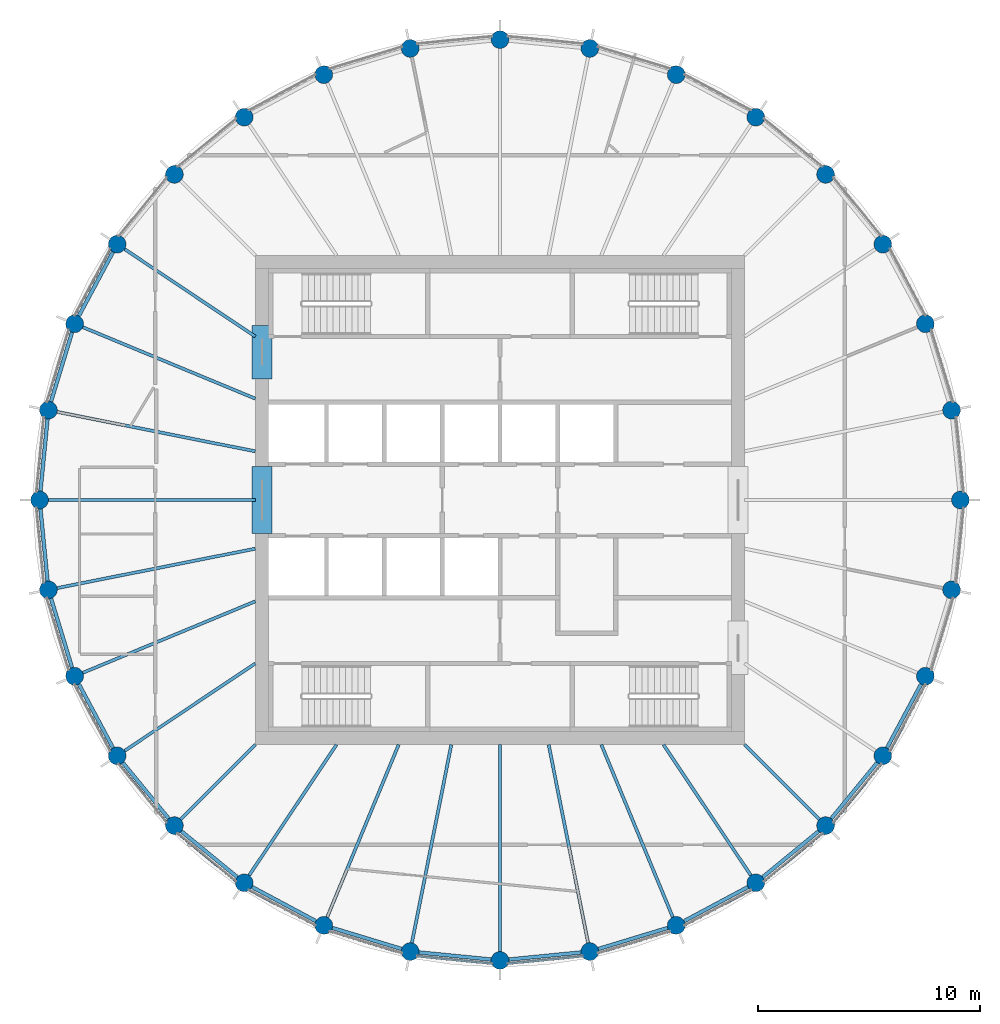
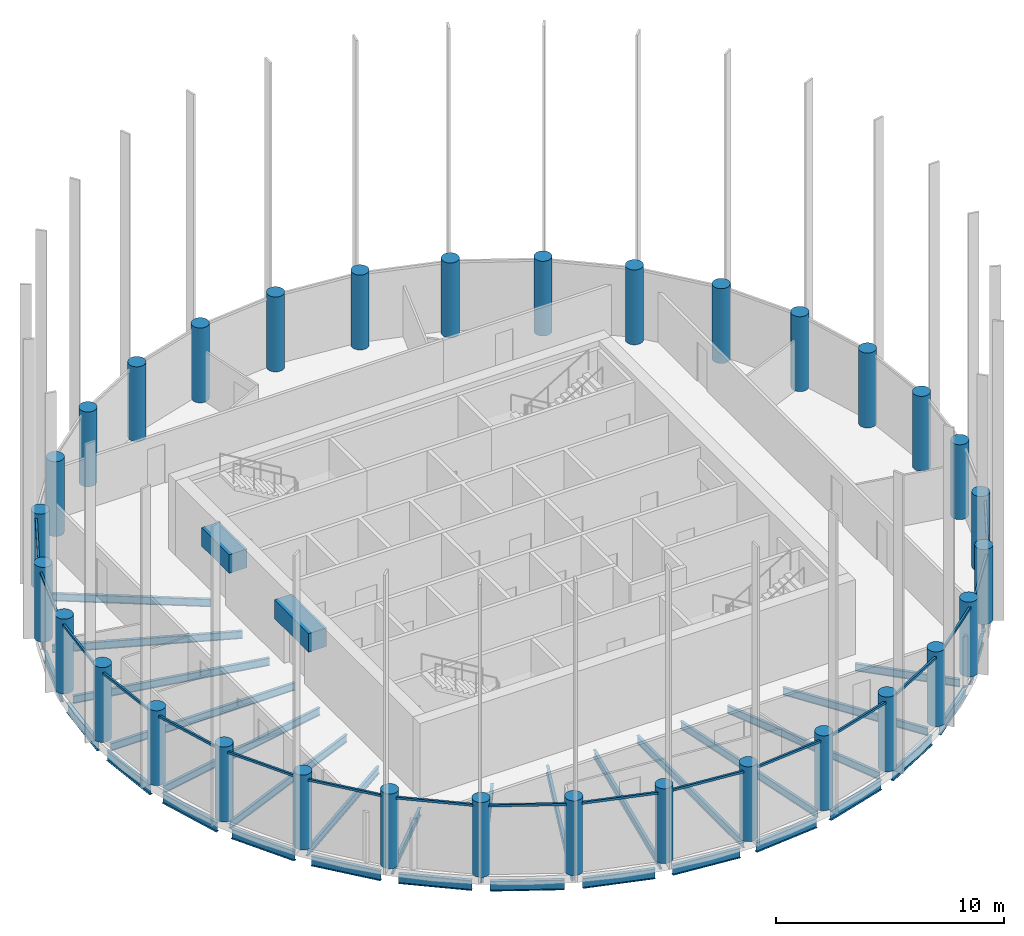
# One storey, part 1 of 7: 35 beams, 32 columns, 17 members, 17 elements without a shape of their own.
"""IFC4 building model written with IfcOpenShell, lengths in metres."""

from ifc_helpers import new_model, si_unit, direction, frame, origin, origin_2d, place, context, subcontext, project, spatial, rectangle, circle, i_section, extrude, material, material_profile, profile_set, type_object, element, aggregate, save


model = new_model("IFC4")

# Units and contexts
model_context = context("Model", 3, precision=1e-05, world=origin(), true_north=direction((0.0, 1.0)))
body_context = subcontext(model_context, "Body", "Model", "MODEL_VIEW")
ifc_project = project(units=[si_unit("LENGTHUNIT", "METRE"), si_unit("AREAUNIT", "SQUARE_METRE"), si_unit("VOLUMEUNIT", "CUBIC_METRE"), si_unit("PLANEANGLEUNIT", "RADIAN"), si_unit("MASSUNIT", "GRAM", prefix="KILO")], contexts=[model_context])

# Site, building, storey
site_placement = place(None, origin())
site = spatial("IfcSite", under=ifc_project, at=site_placement, CompositionType="ELEMENT")
building_placement = place(site_placement, origin())
building = spatial("IfcBuilding", under=site, at=building_placement, Name="Corvane Civic Tower", CompositionType="ELEMENT")
storey_placement = place(building_placement, frame((0.0, 0.0, 324.5)))
storey = spatial("IfcBuildingStorey", under=building, at=storey_placement, Name="L77", CompositionType="ELEMENT", Elevation=324.5)

# Columns
ifc_material_1 = material(Name="Concrete C60/75", Category="concrete")
ifc_material_profile_1 = material_profile(ifc_material_1, circle(Radius=0.39990234375, at=origin_2d()), Name="COLUMN 800")
ifc_profile_set_1 = profile_set([ifc_material_profile_1], Name="Concrete C60/75")
column_type = type_object("IfcColumnType", Name="RC COLUMN COLUMN 800", PredefinedType="COLUMN", material=ifc_profile_set_1)
for number, where, z_axis, x_axis, name in (
    (1, (0.0, 20.699951171875, 0.0), (0.0, 0.0, 1.0), (1.0, 0.0, 0.0), "COL-L77-F01"),
    (2, (4.038330078125, 20.30224609375, 0.0), (0.0, 0.0, 1.0), (1.0, 0.0, 0.0), "COL-L77-F02"),
    (3, (7.921630859375, 19.124267578125, 0.0), (0.0, 0.0, 1.0), (1.0, 0.0, 0.0), "COL-L77-F03"),
    (4, (11.500244140625, 17.21142578125, 0.0), (0.0, 0.0, 1.0), (1.0, 0.0, 0.0), "COL-L77-F04"),
    (5, (14.63720703125, 14.63720703125, 0.0), (0.0, 0.0, 1.0), (1.0, 0.0, 0.0), "COL-L77-F05"),
    (6, (17.21142578125, 11.500244140625, 0.0), (0.0, 0.0, 1.0), (1.0, 0.0, 0.0), "COL-L77-F06"),
    (7, (19.124267578125, 7.921630859375, 0.0), (0.0, 0.0, 1.0), (1.0, 0.0, 0.0), "COL-L77-F07"),
    (8, (20.30224609375, 4.038330078125, 0.0), (0.0, 0.0, 1.0), (1.0, 0.0, 0.0), "COL-L77-F08"),
    (9, (20.699951171875, 0.0, 0.0), (0.0, 0.0, 1.0), (1.0, 0.0, 0.0), "COL-L77-F09"),
    (10, (20.30224609375, -4.038330078125, 0.0), (0.0, 0.0, 1.0), (1.0, 0.0, 0.0), "COL-L77-F10"),
    (11, (19.124267578125, -7.921630859375, 0.0), (0.0, 0.0, 1.0), (1.0, 0.0, 0.0), "COL-L77-F11"),
    (12, (17.21142578125, -11.500244140625, 0.0), (0.0, 0.0, 1.0), (1.0, 0.0, 0.0), "COL-L77-F12"),
    (13, (14.63720703125, -14.63720703125, 0.0), (0.0, 0.0, 1.0), (1.0, 0.0, 0.0), "COL-L77-F13"),
    (14, (11.500244140625, -17.21142578125, 0.0), (0.0, 0.0, 1.0), (1.0, 0.0, 0.0), "COL-L77-F14"),
    (15, (7.921630859375, -19.124267578125, 0.0), (0.0, 0.0, 1.0), (1.0, 0.0, 0.0), "COL-L77-F15"),
    (16, (4.038330078125, -20.30224609375, 0.0), (0.0, 0.0, 1.0), (1.0, 0.0, 0.0), "COL-L77-F16"),
    (17, (0.0, -20.699951171875, 0.0), (0.0, 0.0, 1.0), (1.0, 0.0, 0.0), "COL-L77-F17"),
    (18, (-4.038330078125, -20.30224609375, 0.0), (0.0, 0.0, 1.0), (1.0, 0.0, 0.0), "COL-L77-F18"),
    (19, (-7.921630859375, -19.124267578125, 0.0), (0.0, 0.0, 1.0), (1.0, 0.0, 0.0), "COL-L77-F19"),
    (20, (-11.500244140625, -17.21142578125, 0.0), (0.0, 0.0, 1.0), (1.0, 0.0, 0.0), "COL-L77-F20"),
    (21, (-14.63720703125, -14.63720703125, 0.0), (0.0, 0.0, 1.0), (1.0, 0.0, 0.0), "COL-L77-F21"),
    (22, (-17.21142578125, -11.500244140625, 0.0), (0.0, 0.0, 1.0), (1.0, 0.0, 0.0), "COL-L77-F22"),
    (23, (-19.124267578125, -7.921630859375, 0.0), (0.0, 0.0, 1.0), (1.0, 0.0, 0.0), "COL-L77-F23"),
    (24, (-20.30224609375, -4.038330078125, 0.0), (0.0, 0.0, 1.0), (1.0, 0.0, 0.0), "COL-L77-F24"),
    (25, (-20.699951171875, 0.0, 0.0), (0.0, 0.0, 1.0), (1.0, 0.0, 0.0), "COL-L77-F25"),
    (26, (-20.30224609375, 4.038330078125, 0.0), (0.0, 0.0, 1.0), (1.0, 0.0, 0.0), "COL-L77-F26"),
    (27, (-19.124267578125, 7.921630859375, 0.0), (0.0, 0.0, 1.0), (1.0, 0.0, 0.0), "COL-L77-F27"),
    (28, (-17.21142578125, 11.500244140625, 0.0), (0.0, 0.0, 1.0), (1.0, 0.0, 0.0), "COL-L77-F28"),
    (29, (-14.63720703125, 14.63720703125, 0.0), (0.0, 0.0, 1.0), (1.0, 0.0, 0.0), "COL-L77-F29"),
    (30, (-11.500244140625, 17.21142578125, 0.0), (0.0, 0.0, 1.0), (1.0, 0.0, 0.0), "COL-L77-F30"),
    (31, (-7.921630859375, 19.124267578125, 0.0), (0.0, 0.0, 1.0), (1.0, 0.0, 0.0), "COL-L77-F31"),
    (32, (-4.038330078125, 20.30224609375, 0.0), (0.0, 0.0, 1.0), (1.0, 0.0, 0.0), "COL-L77-F32"),
):
    element("IfcColumn", number, at=place(storey_placement, frame(where, z_axis=z_axis, x_axis=x_axis)), inside=storey, type_object=column_type, Name=name, PredefinedType="COLUMN", context=body_context, shape_type="SweptSolid", body=[
        extrude(circle(Radius=0.39990234375, at=origin_2d()), origin(), (0.0, 0.0, 1.0), 4.0),
    ])

# Beams
ifc_material_2 = material(Name="Concrete C40/50", Category="concrete")
ifc_material_profile_2 = material_profile(ifc_material_2, rectangle(XDim=0.89990234375, YDim=1.0, at=origin_2d()), Name="COUPLING BEAM 900X1000")
ifc_profile_set_2 = profile_set([ifc_material_profile_2], Name="Concrete C40/50")
beam_type_1 = type_object("IfcBeamType", Name="COUPLING BEAM COUPLING BEAM 900X1000", PredefinedType="BEAM", material=ifc_profile_set_2)
beam_1_placement = place(storey_placement, frame((-10.699951171875, -1.5, 2.60009765625), z_axis=(0.0, 1.0, 0.0), x_axis=(-1.0, 0.0, 0.0)))
element("IfcBeam", 33, at=beam_1_placement, inside=storey, type_object=beam_type_1, Name="BM-L77-cpl-CW-LW", PredefinedType="BEAM", context=body_context, shape_type="SweptSolid", body=[
    extrude(rectangle(XDim=0.89990234375, YDim=1.0, at=origin_2d()), origin(), (0.0, 0.0, 1.0), 3.0),
])
beam_2_placement = place(storey_placement, frame((-10.699951171875, 5.449951171875, 2.60009765625), z_axis=(0.0, 1.0, 0.0), x_axis=(-1.0, 0.0, 0.0)))
element("IfcBeam", 34, at=beam_2_placement, inside=storey, type_object=beam_type_1, Name="BM-L77-cpl-CW-WN", PredefinedType="BEAM", context=body_context, shape_type="SweptSolid", body=[
    extrude(rectangle(XDim=0.89990234375, YDim=1.0, at=origin_2d()), origin(), (0.0, 0.0, 1.0), 2.400146484375),
])
ifc_material_3 = material(Name="Steel ASTM A992 Gr 50", Category="steel")
ifc_material_profile_3 = material_profile(ifc_material_3, i_section(OverallWidth=0.165771484375, OverallDepth=0.5283203125, WebThickness=0.009765625, FlangeThickness=0.013671875, at=origin_2d()), Name="W21X50")
ifc_profile_set_3 = profile_set([ifc_material_profile_3], Name="Steel ASTM A992 Gr 50")
beam_type_2 = type_object("IfcBeamType", Name="EDGE BEAM W21X50", PredefinedType="BEAM", material=ifc_profile_set_3)
for number, where, z_axis, x_axis, name in (
    (35, (18.935791015625, -8.2744140625, -0.714111328125), (-0.471447618, -0.881894065907, 0.0), (0.881894065907, -0.471447618, 0.0), "BM-L77-E11"),
    (36, (16.957763671875, -11.8095703125, -0.714111328125), (-0.634424551454, -0.772984791903, 0.0), (0.772984791903, -0.634424551454, 0.0), "BM-L77-E12"),
    (37, (14.327880859375, -14.890869140625, -0.714111328125), (-0.772984791903, -0.634424551454, 0.0), (0.634424551454, -0.772984791903, 0.0), "BM-L77-E13"),
    (38, (11.1474609375, -17.39990234375, -0.714111328125), (-0.881894065907, -0.471447618, 0.0), (0.471447618, -0.881894065907, 0.0), "BM-L77-E14"),
    (39, (7.538818359375, -19.240478515625, -0.714111328125), (-0.956955679349, -0.290234091317, 0.0), (0.290234091317, -0.956955679349, 0.0), "BM-L77-E15"),
):
    element("IfcBeam", number, at=place(storey_placement, frame(where, z_axis=z_axis, x_axis=x_axis)), inside=storey, type_object=beam_type_2, Name=name, PredefinedType="BEAM", context=body_context, shape_type="SweptSolid", body=[
        extrude(i_section(OverallWidth=0.165771484375, OverallDepth=0.5283203125, WebThickness=0.009765625, FlangeThickness=0.013671875, at=origin_2d()), origin(), (0.0, 0.0, 1.0), 3.2578125),
    ])
for number, where, z_axis, x_axis, name in (
    (40, (3.640380859375, -20.341552734375, -0.714111328125), (-0.995192503142, -0.097938152369, 0.0), (0.097938152369, -0.995192503142, 0.0), "BM-L77-E16"),
    (41, (-0.39794921875, -20.66064453125, -0.714111328125), (-0.995192503142, 0.097938152369, 0.0), (-0.097938152369, -0.995192503142, 0.0), "BM-L77-E17"),
):
    element("IfcBeam", number, at=place(storey_placement, frame(where, z_axis=z_axis, x_axis=x_axis)), inside=storey, type_object=beam_type_2, Name=name, PredefinedType="BEAM", context=body_context, shape_type="SweptSolid", body=[
        extrude(i_section(OverallWidth=0.165771484375, OverallDepth=0.5283203125, WebThickness=0.009765625, FlangeThickness=0.013671875, at=origin_2d()), origin(), (0.0, 0.0, 1.0), 3.258056640625),
    ])
for number, where, z_axis, x_axis, name in (
    (42, (-4.421142578125, -20.18603515625, -0.714111328125), (-0.956955679349, 0.290234091317, 0.0), (-0.290234091317, -0.956955679349, 0.0), "BM-L77-E18"),
    (43, (-8.2744140625, -18.935791015625, -0.714111328125), (-0.881894065907, 0.471447618, 0.0), (-0.471447618, -0.881894065907, 0.0), "BM-L77-E19"),
    (44, (-11.8095703125, -16.957763671875, -0.714111328125), (-0.772984791903, 0.634424551454, 0.0), (-0.634424551454, -0.772984791903, 0.0), "BM-L77-E20"),
    (45, (-14.890869140625, -14.327880859375, -0.714111328125), (-0.634424551454, 0.772984791903, 0.0), (-0.772984791903, -0.634424551454, 0.0), "BM-L77-E21"),
    (46, (-17.39990234375, -11.1474609375, -0.714111328125), (-0.471447618, 0.881894065907, 0.0), (-0.881894065907, -0.471447618, 0.0), "BM-L77-E22"),
    (47, (-19.240478515625, -7.538818359375, -0.714111328125), (-0.290234091317, 0.956955679349, 0.0), (-0.956955679349, -0.290234091317, 0.0), "BM-L77-E23"),
):
    element("IfcBeam", number, at=place(storey_placement, frame(where, z_axis=z_axis, x_axis=x_axis)), inside=storey, type_object=beam_type_2, Name=name, PredefinedType="BEAM", context=body_context, shape_type="SweptSolid", body=[
        extrude(i_section(OverallWidth=0.165771484375, OverallDepth=0.5283203125, WebThickness=0.009765625, FlangeThickness=0.013671875, at=origin_2d()), origin(), (0.0, 0.0, 1.0), 3.2578125),
    ])
for number, where, z_axis, x_axis, name in (
    (48, (-20.341552734375, -3.640380859375, -0.714111328125), (-0.097938152369, 0.995192503142, 0.0), (-0.995192503142, -0.097938152369, 0.0), "BM-L77-E24"),
    (49, (-20.66064453125, 0.39794921875, -0.714111328125), (0.097938152369, 0.995192503142, 0.0), (-0.995192503142, 0.097938152369, 0.0), "BM-L77-E25"),
):
    element("IfcBeam", number, at=place(storey_placement, frame(where, z_axis=z_axis, x_axis=x_axis)), inside=storey, type_object=beam_type_2, Name=name, PredefinedType="BEAM", context=body_context, shape_type="SweptSolid", body=[
        extrude(i_section(OverallWidth=0.165771484375, OverallDepth=0.5283203125, WebThickness=0.009765625, FlangeThickness=0.013671875, at=origin_2d()), origin(), (0.0, 0.0, 1.0), 3.258056640625),
    ])
for number, where, z_axis, x_axis, name in (
    (50, (-20.18603515625, 4.421142578125, -0.714111328125), (0.290234091317, 0.956955679349, 0.0), (-0.956955679349, 0.290234091317, 0.0), "BM-L77-E26"),
    (51, (-18.935791015625, 8.2744140625, -0.714111328125), (0.471447618, 0.881894065907, 0.0), (-0.881894065907, 0.471447618, 0.0), "BM-L77-E27"),
):
    element("IfcBeam", number, at=place(storey_placement, frame(where, z_axis=z_axis, x_axis=x_axis)), inside=storey, type_object=beam_type_2, Name=name, PredefinedType="BEAM", context=body_context, shape_type="SweptSolid", body=[
        extrude(i_section(OverallWidth=0.165771484375, OverallDepth=0.5283203125, WebThickness=0.009765625, FlangeThickness=0.013671875, at=origin_2d()), origin(), (0.0, 0.0, 1.0), 3.2578125),
    ])
ifc_material_4 = material(Name="Steel ASTM A992 Gr 50", Category="steel")
ifc_material_profile_4 = material_profile(ifc_material_4, i_section(OverallWidth=0.140380859375, OverallDepth=0.40380859375, WebThickness=0.007080078125, FlangeThickness=0.01123046875, at=origin_2d()), Name="W16X31")
ifc_profile_set_4 = profile_set([ifc_material_profile_4], Name="Steel ASTM A992 Gr 50")
beam_type_3 = type_object("IfcBeamType", Name="FLOOR GIRDER W16X31", PredefinedType="BEAM", material=ifc_profile_set_4)
beam_3_placement = place(storey_placement, frame((11.0, -11.0, -0.65185546875), z_axis=(0.707106781187, -0.707106781187, 0.0), x_axis=(0.707106781187, 0.707106781187, 0.0)))
element("IfcBeam", 52, at=beam_3_placement, inside=storey, type_object=beam_type_3, Name="BM-L77-G13", PredefinedType="BEAM", context=body_context, shape_type="SweptSolid", body=[
    extrude(i_section(OverallWidth=0.140380859375, OverallDepth=0.40380859375, WebThickness=0.007080078125, FlangeThickness=0.01123046875, at=origin_2d()), origin(), (0.0, 0.0, 1.0), 4.74365234375),
])
beam_4_placement = place(storey_placement, frame((7.349853515625, -11.0, -0.65185546875), z_axis=(0.555576401385, -0.831465490699, 0.0), x_axis=(0.831465490699, 0.555576401385, 0.0)))
element("IfcBeam", 53, at=beam_4_placement, inside=storey, type_object=beam_type_3, Name="BM-L77-G14", PredefinedType="BEAM", context=body_context, shape_type="SweptSolid", body=[
    extrude(i_section(OverallWidth=0.140380859375, OverallDepth=0.40380859375, WebThickness=0.007080078125, FlangeThickness=0.01123046875, at=origin_2d()), origin(), (0.0, 0.0, 1.0), 7.070556640625),
])
beam_5_placement = place(storey_placement, frame((4.556396484375, -11.0, -0.65185546875), z_axis=(0.382691739894, -0.923876091377, 0.0), x_axis=(0.923876091377, 0.382691739894, 0.0)))
element("IfcBeam", 54, at=beam_5_placement, inside=storey, type_object=beam_type_3, Name="BM-L77-G15", PredefinedType="BEAM", context=body_context, shape_type="SweptSolid", body=[
    extrude(i_section(OverallWidth=0.140380859375, OverallDepth=0.40380859375, WebThickness=0.007080078125, FlangeThickness=0.01123046875, at=origin_2d()), origin(), (0.0, 0.0, 1.0), 8.3935546875),
])
beam_6_placement = place(storey_placement, frame((2.18798828125, -11.0, -0.65185546875), z_axis=(0.195108241061, -0.980781715913, 0.0), x_axis=(0.980781715913, 0.195108241061, 0.0)))
element("IfcBeam", 55, at=beam_6_placement, inside=storey, type_object=beam_type_3, Name="BM-L77-G16", PredefinedType="BEAM", context=body_context, shape_type="SweptSolid", body=[
    extrude(i_section(OverallWidth=0.140380859375, OverallDepth=0.40380859375, WebThickness=0.007080078125, FlangeThickness=0.01123046875, at=origin_2d()), origin(), (0.0, 0.0, 1.0), 9.08447265625),
])
beam_7_placement = place(storey_placement, frame((0.0, -11.0, -0.65185546875), z_axis=(0.0, -1.0, 0.0), x_axis=(1.0, 0.0, 0.0)))
element("IfcBeam", 56, at=beam_7_placement, inside=storey, type_object=beam_type_3, Name="BM-L77-G17", PredefinedType="BEAM", context=body_context, shape_type="SweptSolid", body=[
    extrude(i_section(OverallWidth=0.140380859375, OverallDepth=0.40380859375, WebThickness=0.007080078125, FlangeThickness=0.01123046875, at=origin_2d()), origin(), (0.0, 0.0, 1.0), 9.300048828125),
])
beam_8_placement = place(storey_placement, frame((-2.18798828125, -11.0, -0.65185546875), z_axis=(-0.195108241061, -0.980781715913, 0.0), x_axis=(0.980781715913, -0.195108241061, 0.0)))
element("IfcBeam", 57, at=beam_8_placement, inside=storey, type_object=beam_type_3, Name="BM-L77-G18", PredefinedType="BEAM", context=body_context, shape_type="SweptSolid", body=[
    extrude(i_section(OverallWidth=0.140380859375, OverallDepth=0.40380859375, WebThickness=0.007080078125, FlangeThickness=0.01123046875, at=origin_2d()), origin(), (0.0, 0.0, 1.0), 9.08447265625),
])
beam_9_placement = place(storey_placement, frame((-4.556396484375, -11.0, -0.65185546875), z_axis=(-0.382691739894, -0.923876091377, 0.0), x_axis=(0.923876091377, -0.382691739894, 0.0)))
element("IfcBeam", 58, at=beam_9_placement, inside=storey, type_object=beam_type_3, Name="BM-L77-G19", PredefinedType="BEAM", context=body_context, shape_type="SweptSolid", body=[
    extrude(i_section(OverallWidth=0.140380859375, OverallDepth=0.40380859375, WebThickness=0.007080078125, FlangeThickness=0.01123046875, at=origin_2d()), origin(), (0.0, 0.0, 1.0), 8.3935546875),
])
beam_10_placement = place(storey_placement, frame((-7.349853515625, -11.0, -0.65185546875), z_axis=(-0.555576401385, -0.831465490699, 0.0), x_axis=(0.831465490699, -0.555576401385, 0.0)))
element("IfcBeam", 59, at=beam_10_placement, inside=storey, type_object=beam_type_3, Name="BM-L77-G20", PredefinedType="BEAM", context=body_context, shape_type="SweptSolid", body=[
    extrude(i_section(OverallWidth=0.140380859375, OverallDepth=0.40380859375, WebThickness=0.007080078125, FlangeThickness=0.01123046875, at=origin_2d()), origin(), (0.0, 0.0, 1.0), 7.070556640625),
])
beam_11_placement = place(storey_placement, frame((-11.0, -11.0, -0.65185546875), z_axis=(-0.707106781187, -0.707106781187, 0.0), x_axis=(0.707106781187, -0.707106781187, 0.0)))
element("IfcBeam", 60, at=beam_11_placement, inside=storey, type_object=beam_type_3, Name="BM-L77-G21", PredefinedType="BEAM", context=body_context, shape_type="SweptSolid", body=[
    extrude(i_section(OverallWidth=0.140380859375, OverallDepth=0.40380859375, WebThickness=0.007080078125, FlangeThickness=0.01123046875, at=origin_2d()), origin(), (0.0, 0.0, 1.0), 4.74365234375),
])
beam_12_placement = place(storey_placement, frame((-11.0, -7.349853515625, -0.65185546875), z_axis=(-0.831465490699, -0.555576401385, 0.0), x_axis=(0.555576401385, -0.831465490699, 0.0)))
element("IfcBeam", 61, at=beam_12_placement, inside=storey, type_object=beam_type_3, Name="BM-L77-G22", PredefinedType="BEAM", context=body_context, shape_type="SweptSolid", body=[
    extrude(i_section(OverallWidth=0.140380859375, OverallDepth=0.40380859375, WebThickness=0.007080078125, FlangeThickness=0.01123046875, at=origin_2d()), origin(), (0.0, 0.0, 1.0), 7.070556640625),
])
beam_13_placement = place(storey_placement, frame((-11.0, -4.556396484375, -0.65185546875), z_axis=(-0.923876091377, -0.382691739894, 0.0), x_axis=(0.382691739894, -0.923876091377, 0.0)))
element("IfcBeam", 62, at=beam_13_placement, inside=storey, type_object=beam_type_3, Name="BM-L77-G23", PredefinedType="BEAM", context=body_context, shape_type="SweptSolid", body=[
    extrude(i_section(OverallWidth=0.140380859375, OverallDepth=0.40380859375, WebThickness=0.007080078125, FlangeThickness=0.01123046875, at=origin_2d()), origin(), (0.0, 0.0, 1.0), 8.3935546875),
])
beam_14_placement = place(storey_placement, frame((-11.0, -2.18798828125, -0.65185546875), z_axis=(-0.980781715913, -0.195108241061, 0.0), x_axis=(0.195108241061, -0.980781715913, 0.0)))
element("IfcBeam", 63, at=beam_14_placement, inside=storey, type_object=beam_type_3, Name="BM-L77-G24", PredefinedType="BEAM", context=body_context, shape_type="SweptSolid", body=[
    extrude(i_section(OverallWidth=0.140380859375, OverallDepth=0.40380859375, WebThickness=0.007080078125, FlangeThickness=0.01123046875, at=origin_2d()), origin(), (0.0, 0.0, 1.0), 9.08447265625),
])
beam_15_placement = place(storey_placement, frame((-11.0, 0.0, -0.65185546875), z_axis=(-1.0, 0.0, 0.0), x_axis=(0.0, -1.0, 0.0)))
element("IfcBeam", 64, at=beam_15_placement, inside=storey, type_object=beam_type_3, Name="BM-L77-G25", PredefinedType="BEAM", context=body_context, shape_type="SweptSolid", body=[
    extrude(i_section(OverallWidth=0.140380859375, OverallDepth=0.40380859375, WebThickness=0.007080078125, FlangeThickness=0.01123046875, at=origin_2d()), origin(), (0.0, 0.0, 1.0), 9.300048828125),
])
beam_16_placement = place(storey_placement, frame((-11.0, 2.18798828125, -0.65185546875), z_axis=(-0.980781715913, 0.195108241061, 0.0), x_axis=(-0.195108241061, -0.980781715913, 0.0)))
element("IfcBeam", 65, at=beam_16_placement, inside=storey, type_object=beam_type_3, Name="BM-L77-G26", PredefinedType="BEAM", context=body_context, shape_type="SweptSolid", body=[
    extrude(i_section(OverallWidth=0.140380859375, OverallDepth=0.40380859375, WebThickness=0.007080078125, FlangeThickness=0.01123046875, at=origin_2d()), origin(), (0.0, 0.0, 1.0), 9.08447265625),
])
beam_17_placement = place(storey_placement, frame((-11.0, 4.556396484375, -0.65185546875), z_axis=(-0.923876091377, 0.382691739894, 0.0), x_axis=(-0.382691739894, -0.923876091377, 0.0)))
element("IfcBeam", 66, at=beam_17_placement, inside=storey, type_object=beam_type_3, Name="BM-L77-G27", PredefinedType="BEAM", context=body_context, shape_type="SweptSolid", body=[
    extrude(i_section(OverallWidth=0.140380859375, OverallDepth=0.40380859375, WebThickness=0.007080078125, FlangeThickness=0.01123046875, at=origin_2d()), origin(), (0.0, 0.0, 1.0), 8.3935546875),
])
beam_18_placement = place(storey_placement, frame((-11.0, 7.349853515625, -0.65185546875), z_axis=(-0.831465490699, 0.555576401385, 0.0), x_axis=(-0.555576401385, -0.831465490699, 0.0)))
element("IfcBeam", 67, at=beam_18_placement, inside=storey, type_object=beam_type_3, Name="BM-L77-G28", PredefinedType="BEAM", context=body_context, shape_type="SweptSolid", body=[
    extrude(i_section(OverallWidth=0.140380859375, OverallDepth=0.40380859375, WebThickness=0.007080078125, FlangeThickness=0.01123046875, at=origin_2d()), origin(), (0.0, 0.0, 1.0), 7.070556640625),
])

# Curtain wall, member
ifc_material_5 = material(Name="Anodised aluminium bronze", Category="aluminium")
curtain_wall_type = type_object("IfcCurtainWallType", Name="TOWER CW-T3 STICK CURTAIN WALL", PredefinedType="NOTDEFINED", material=ifc_material_5)
curtain_wall_1_placement = place(storey_placement, origin())
curtain_wall_1 = element("IfcCurtainWall", 68, at=curtain_wall_1_placement, inside=storey, type_object=curtain_wall_type, Name="Curtain wall CW-T3 L77 bay 11", PredefinedType="NOTDEFINED")
ifc_material_6 = material(Name="Anodised aluminium bronze", Category="aluminium")
ifc_material_profile_5 = material_profile(ifc_material_6, rectangle(XDim=0.10009765625, YDim=0.1201171875, at=origin_2d()), Name="TOWER CW-T3 TRANSOM 100x120")
ifc_profile_set_5 = profile_set([ifc_material_profile_5], Name="Anodised aluminium bronze")
member_type = type_object("IfcMemberType", Name="TOWER CW-T3 TRANSOM 100x120", PredefinedType="USERDEFINED", material=ifc_profile_set_5)
member_1_placement = place(storey_placement, frame((19.127685546875, -8.294921875, 3.68994140625), z_axis=(-0.471358988063, -0.881941440444, 0.0), x_axis=(0.881941440444, -0.471358988063, 0.0)))
member_1 = element("IfcMember", 69, at=member_1_placement, type_object=member_type, Name="Transom CW-T3 L77 11.1", ObjectType="TRANSOM", PredefinedType="USERDEFINED", context=body_context, shape_type="SweptSolid", body=[
    extrude(rectangle(XDim=0.10009765625, YDim=0.1201171875, at=origin_2d()), origin(), (0.0, 0.0, 1.0), 3.40234375),
])
aggregate(curtain_wall_1, [member_1])

curtain_wall_2_placement = place(storey_placement, origin())
curtain_wall_2 = element("IfcCurtainWall", 70, at=curtain_wall_2_placement, inside=storey, type_object=curtain_wall_type, Name="Curtain wall CW-T3 L77 bay 12", PredefinedType="NOTDEFINED")
member_2_placement = place(storey_placement, frame((17.14208984375, -11.8671875, 3.68994140625), z_axis=(-0.634393571736, -0.773010217358, 0.0), x_axis=(0.773010217358, -0.634393571736, 0.0)))
member_2 = element("IfcMember", 71, at=member_2_placement, type_object=member_type, Name="Transom CW-T3 L77 12.1", ObjectType="TRANSOM", PredefinedType="USERDEFINED", context=body_context, shape_type="SweptSolid", body=[
    extrude(rectangle(XDim=0.10009765625, YDim=0.1201171875, at=origin_2d()), origin(), (0.0, 0.0, 1.0), 3.40283203125),
])
aggregate(curtain_wall_2, [member_2])

curtain_wall_3_placement = place(storey_placement, origin())
curtain_wall_3 = element("IfcCurtainWall", 72, at=curtain_wall_3_placement, inside=storey, type_object=curtain_wall_type, Name="Curtain wall CW-T3 L77 bay 13", PredefinedType="NOTDEFINED")
member_3_placement = place(storey_placement, frame((14.49755859375, -14.9833984375, 3.68994140625), z_axis=(-0.773010217358, -0.634393571736, 0.0), x_axis=(0.634393571736, -0.773010217358, 0.0)))
member_3 = element("IfcMember", 73, at=member_3_placement, type_object=member_type, Name="Transom CW-T3 L77 13.1", ObjectType="TRANSOM", PredefinedType="USERDEFINED", context=body_context, shape_type="SweptSolid", body=[
    extrude(rectangle(XDim=0.10009765625, YDim=0.1201171875, at=origin_2d()), origin(), (0.0, 0.0, 1.0), 3.40283203125),
])
aggregate(curtain_wall_3, [member_3])

curtain_wall_4_placement = place(storey_placement, origin())
curtain_wall_4 = element("IfcCurtainWall", 74, at=curtain_wall_4_placement, inside=storey, type_object=curtain_wall_type, Name="Curtain wall CW-T3 L77 bay 14", PredefinedType="NOTDEFINED")
member_4_placement = place(storey_placement, frame((11.295654296875, -17.52392578125, 3.68994140625), z_axis=(-0.881941440444, -0.471358988063, 0.0), x_axis=(0.471358988063, -0.881941440444, 0.0)))
member_4 = element("IfcMember", 75, at=member_4_placement, type_object=member_type, Name="Transom CW-T3 L77 14.1", ObjectType="TRANSOM", PredefinedType="USERDEFINED", context=body_context, shape_type="SweptSolid", body=[
    extrude(rectangle(XDim=0.10009765625, YDim=0.1201171875, at=origin_2d()), origin(), (0.0, 0.0, 1.0), 3.40234375),
])
aggregate(curtain_wall_4, [member_4])

curtain_wall_5_placement = place(storey_placement, origin())
curtain_wall_5 = element("IfcCurtainWall", 76, at=curtain_wall_5_placement, inside=storey, type_object=curtain_wall_type, Name="Curtain wall CW-T3 L77 bay 15", PredefinedType="NOTDEFINED")
member_5_placement = place(storey_placement, frame((7.66015625, -19.390869140625, 3.68994140625), z_axis=(-0.956961022204, -0.290216474345, 0.0), x_axis=(0.290216474345, -0.956961022204, 0.0)))
member_5 = element("IfcMember", 77, at=member_5_placement, type_object=member_type, Name="Transom CW-T3 L77 15.1", ObjectType="TRANSOM", PredefinedType="USERDEFINED", context=body_context, shape_type="SweptSolid", body=[
    extrude(rectangle(XDim=0.10009765625, YDim=0.1201171875, at=origin_2d()), origin(), (0.0, 0.0, 1.0), 3.40283203125),
])
aggregate(curtain_wall_5, [member_5])

curtain_wall_6_placement = place(storey_placement, origin())
curtain_wall_6 = element("IfcCurtainWall", 78, at=curtain_wall_6_placement, inside=storey, type_object=curtain_wall_type, Name="Curtain wall CW-T3 L77 bay 16", PredefinedType="NOTDEFINED")
member_6_placement = place(storey_placement, frame((3.729736328125, -20.5126953125, 3.68994140625), z_axis=(-0.995191564676, -0.097947688066, 0.0), x_axis=(0.097947688066, -0.995191564676, 0.0)))
member_6 = element("IfcMember", 79, at=member_6_placement, type_object=member_type, Name="Transom CW-T3 L77 16.1", ObjectType="TRANSOM", PredefinedType="USERDEFINED", context=body_context, shape_type="SweptSolid", body=[
    extrude(rectangle(XDim=0.10009765625, YDim=0.1201171875, at=origin_2d()), origin(), (0.0, 0.0, 1.0), 3.40234375),
])
aggregate(curtain_wall_6, [member_6])

curtain_wall_7_placement = place(storey_placement, origin())
curtain_wall_7 = element("IfcCurtainWall", 80, at=curtain_wall_7_placement, inside=storey, type_object=curtain_wall_type, Name="Curtain wall CW-T3 L77 bay 17", PredefinedType="NOTDEFINED")
member_7_placement = place(storey_placement, frame((-0.34375, -20.845947265625, 3.68994140625), z_axis=(-0.995191564676, 0.097947688066, 0.0), x_axis=(-0.097947688066, -0.995191564676, 0.0)))
member_7 = element("IfcMember", 81, at=member_7_placement, type_object=member_type, Name="Transom CW-T3 L77 17.1", ObjectType="TRANSOM", PredefinedType="USERDEFINED", context=body_context, shape_type="SweptSolid", body=[
    extrude(rectangle(XDim=0.10009765625, YDim=0.1201171875, at=origin_2d()), origin(), (0.0, 0.0, 1.0), 3.40234375),
])
aggregate(curtain_wall_7, [member_7])

curtain_wall_8_placement = place(storey_placement, origin())
curtain_wall_8 = element("IfcCurtainWall", 82, at=curtain_wall_8_placement, inside=storey, type_object=curtain_wall_type, Name="Curtain wall CW-T3 L77 bay 18", PredefinedType="NOTDEFINED")
member_8_placement = place(storey_placement, frame((-4.40380859375, -20.37841796875, 3.68994140625), z_axis=(-0.956961022204, 0.290216474345, 0.0), x_axis=(-0.290216474345, -0.956961022204, 0.0)))
member_8 = element("IfcMember", 83, at=member_8_placement, type_object=member_type, Name="Transom CW-T3 L77 18.1", ObjectType="TRANSOM", PredefinedType="USERDEFINED", context=body_context, shape_type="SweptSolid", body=[
    extrude(rectangle(XDim=0.10009765625, YDim=0.1201171875, at=origin_2d()), origin(), (0.0, 0.0, 1.0), 3.40283203125),
])
aggregate(curtain_wall_8, [member_8])

curtain_wall_9_placement = place(storey_placement, origin())
curtain_wall_9 = element("IfcCurtainWall", 84, at=curtain_wall_9_placement, inside=storey, type_object=curtain_wall_type, Name="Curtain wall CW-T3 L77 bay 19", PredefinedType="NOTDEFINED")
member_9_placement = place(storey_placement, frame((-8.294921875, -19.127685546875, 3.68994140625), z_axis=(-0.881941440444, 0.471358988063, 0.0), x_axis=(-0.471358988063, -0.881941440444, 0.0)))
member_9 = element("IfcMember", 85, at=member_9_placement, type_object=member_type, Name="Transom CW-T3 L77 19.1", ObjectType="TRANSOM", PredefinedType="USERDEFINED", context=body_context, shape_type="SweptSolid", body=[
    extrude(rectangle(XDim=0.10009765625, YDim=0.1201171875, at=origin_2d()), origin(), (0.0, 0.0, 1.0), 3.40234375),
])
aggregate(curtain_wall_9, [member_9])

curtain_wall_10_placement = place(storey_placement, origin())
curtain_wall_10 = element("IfcCurtainWall", 86, at=curtain_wall_10_placement, inside=storey, type_object=curtain_wall_type, Name="Curtain wall CW-T3 L77 bay 20", PredefinedType="NOTDEFINED")
member_10_placement = place(storey_placement, frame((-11.8671875, -17.14208984375, 3.68994140625), z_axis=(-0.773010217358, 0.634393571736, 0.0), x_axis=(-0.634393571736, -0.773010217358, 0.0)))
member_10 = element("IfcMember", 87, at=member_10_placement, type_object=member_type, Name="Transom CW-T3 L77 20.1", ObjectType="TRANSOM", PredefinedType="USERDEFINED", context=body_context, shape_type="SweptSolid", body=[
    extrude(rectangle(XDim=0.10009765625, YDim=0.1201171875, at=origin_2d()), origin(), (0.0, 0.0, 1.0), 3.40283203125),
])
aggregate(curtain_wall_10, [member_10])

curtain_wall_11_placement = place(storey_placement, origin())
curtain_wall_11 = element("IfcCurtainWall", 88, at=curtain_wall_11_placement, inside=storey, type_object=curtain_wall_type, Name="Curtain wall CW-T3 L77 bay 21", PredefinedType="NOTDEFINED")
member_11_placement = place(storey_placement, frame((-14.9833984375, -14.49755859375, 3.68994140625), z_axis=(-0.634393571736, 0.773010217358, 0.0), x_axis=(-0.773010217358, -0.634393571736, 0.0)))
member_11 = element("IfcMember", 89, at=member_11_placement, type_object=member_type, Name="Transom CW-T3 L77 21.1", ObjectType="TRANSOM", PredefinedType="USERDEFINED", context=body_context, shape_type="SweptSolid", body=[
    extrude(rectangle(XDim=0.10009765625, YDim=0.1201171875, at=origin_2d()), origin(), (0.0, 0.0, 1.0), 3.40283203125),
])
aggregate(curtain_wall_11, [member_11])

curtain_wall_12_placement = place(storey_placement, origin())
curtain_wall_12 = element("IfcCurtainWall", 90, at=curtain_wall_12_placement, inside=storey, type_object=curtain_wall_type, Name="Curtain wall CW-T3 L77 bay 22", PredefinedType="NOTDEFINED")
member_12_placement = place(storey_placement, frame((-17.52392578125, -11.295654296875, 3.68994140625), z_axis=(-0.471358988063, 0.881941440444, 0.0), x_axis=(-0.881941440444, -0.471358988063, 0.0)))
member_12 = element("IfcMember", 91, at=member_12_placement, type_object=member_type, Name="Transom CW-T3 L77 22.1", ObjectType="TRANSOM", PredefinedType="USERDEFINED", context=body_context, shape_type="SweptSolid", body=[
    extrude(rectangle(XDim=0.10009765625, YDim=0.1201171875, at=origin_2d()), origin(), (0.0, 0.0, 1.0), 3.40234375),
])
aggregate(curtain_wall_12, [member_12])

curtain_wall_13_placement = place(storey_placement, origin())
curtain_wall_13 = element("IfcCurtainWall", 92, at=curtain_wall_13_placement, inside=storey, type_object=curtain_wall_type, Name="Curtain wall CW-T3 L77 bay 23", PredefinedType="NOTDEFINED")
member_13_placement = place(storey_placement, frame((-19.390869140625, -7.66015625, 3.68994140625), z_axis=(-0.290216474345, 0.956961022204, 0.0), x_axis=(-0.956961022204, -0.290216474345, 0.0)))
member_13 = element("IfcMember", 93, at=member_13_placement, type_object=member_type, Name="Transom CW-T3 L77 23.1", ObjectType="TRANSOM", PredefinedType="USERDEFINED", context=body_context, shape_type="SweptSolid", body=[
    extrude(rectangle(XDim=0.10009765625, YDim=0.1201171875, at=origin_2d()), origin(), (0.0, 0.0, 1.0), 3.40283203125),
])
aggregate(curtain_wall_13, [member_13])

curtain_wall_14_placement = place(storey_placement, origin())
curtain_wall_14 = element("IfcCurtainWall", 94, at=curtain_wall_14_placement, inside=storey, type_object=curtain_wall_type, Name="Curtain wall CW-T3 L77 bay 24", PredefinedType="NOTDEFINED")
member_14_placement = place(storey_placement, frame((-20.5126953125, -3.729736328125, 3.68994140625), z_axis=(-0.097947688066, 0.995191564676, 0.0), x_axis=(-0.995191564676, -0.097947688066, 0.0)))
member_14 = element("IfcMember", 95, at=member_14_placement, type_object=member_type, Name="Transom CW-T3 L77 24.1", ObjectType="TRANSOM", PredefinedType="USERDEFINED", context=body_context, shape_type="SweptSolid", body=[
    extrude(rectangle(XDim=0.10009765625, YDim=0.1201171875, at=origin_2d()), origin(), (0.0, 0.0, 1.0), 3.40234375),
])
aggregate(curtain_wall_14, [member_14])

curtain_wall_15_placement = place(storey_placement, origin())
curtain_wall_15 = element("IfcCurtainWall", 96, at=curtain_wall_15_placement, inside=storey, type_object=curtain_wall_type, Name="Curtain wall CW-T3 L77 bay 25", PredefinedType="NOTDEFINED")
member_15_placement = place(storey_placement, frame((-20.845947265625, 0.34375, 3.68994140625), z_axis=(0.097947688066, 0.995191564676, 0.0), x_axis=(-0.995191564676, 0.097947688066, 0.0)))
member_15 = element("IfcMember", 97, at=member_15_placement, type_object=member_type, Name="Transom CW-T3 L77 25.1", ObjectType="TRANSOM", PredefinedType="USERDEFINED", context=body_context, shape_type="SweptSolid", body=[
    extrude(rectangle(XDim=0.10009765625, YDim=0.1201171875, at=origin_2d()), origin(), (0.0, 0.0, 1.0), 3.40234375),
])
aggregate(curtain_wall_15, [member_15])

curtain_wall_16_placement = place(storey_placement, origin())
curtain_wall_16 = element("IfcCurtainWall", 98, at=curtain_wall_16_placement, inside=storey, type_object=curtain_wall_type, Name="Curtain wall CW-T3 L77 bay 26", PredefinedType="NOTDEFINED")
member_16_placement = place(storey_placement, frame((-20.37841796875, 4.40380859375, 3.68994140625), z_axis=(0.290216474345, 0.956961022204, 0.0), x_axis=(-0.956961022204, 0.290216474345, 0.0)))
member_16 = element("IfcMember", 99, at=member_16_placement, type_object=member_type, Name="Transom CW-T3 L77 26.1", ObjectType="TRANSOM", PredefinedType="USERDEFINED", context=body_context, shape_type="SweptSolid", body=[
    extrude(rectangle(XDim=0.10009765625, YDim=0.1201171875, at=origin_2d()), origin(), (0.0, 0.0, 1.0), 3.40283203125),
])
aggregate(curtain_wall_16, [member_16])

curtain_wall_17_placement = place(storey_placement, origin())
curtain_wall_17 = element("IfcCurtainWall", 100, at=curtain_wall_17_placement, inside=storey, type_object=curtain_wall_type, Name="Curtain wall CW-T3 L77 bay 27", PredefinedType="NOTDEFINED")
member_17_placement = place(storey_placement, frame((-19.127685546875, 8.294921875, 3.68994140625), z_axis=(0.471358988063, 0.881941440444, 0.0), x_axis=(-0.881941440444, 0.471358988063, 0.0)))
member_17 = element("IfcMember", 101, at=member_17_placement, type_object=member_type, Name="Transom CW-T3 L77 27.1", ObjectType="TRANSOM", PredefinedType="USERDEFINED", context=body_context, shape_type="SweptSolid", body=[
    extrude(rectangle(XDim=0.10009765625, YDim=0.1201171875, at=origin_2d()), origin(), (0.0, 0.0, 1.0), 3.40234375),
])
aggregate(curtain_wall_17, [member_17])

save(model, "model.ifc")
